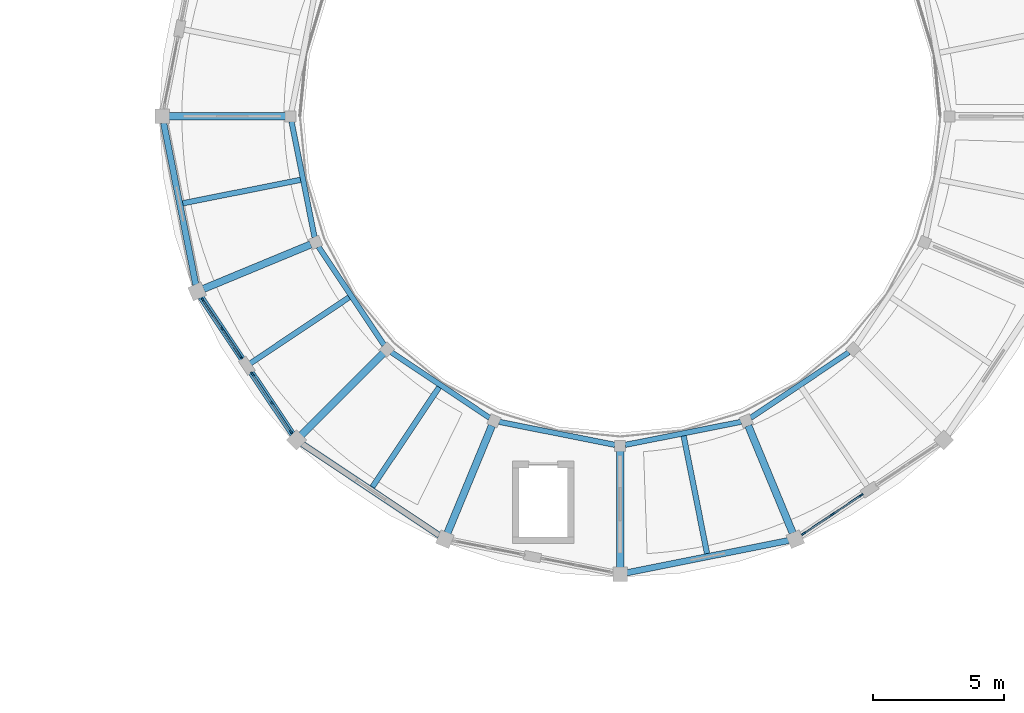
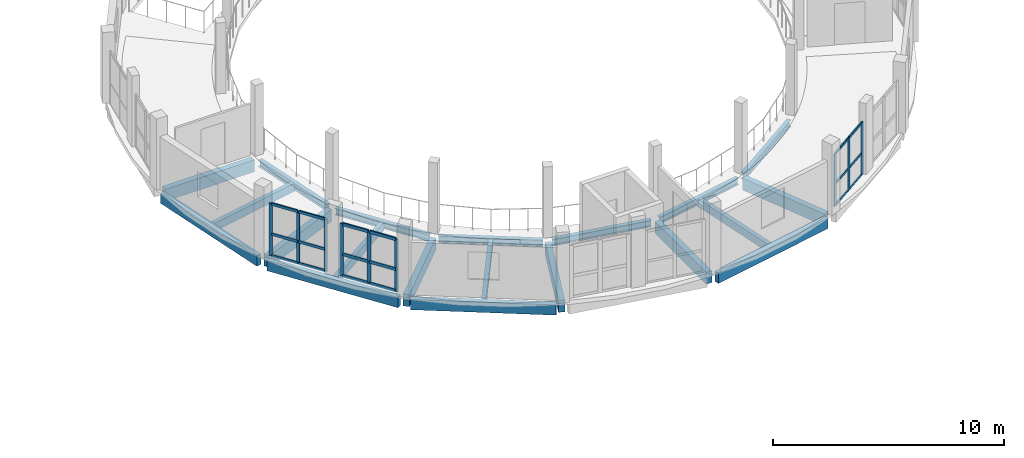
# One storey, part 41 of 77: 27 members, 20 beams, 3 elements without a shape of their own.
"""IFC4 building model written with IfcOpenShell, lengths in metres."""

from ifc_helpers import new_model, si_unit, direction, frame, origin, origin_2d, place, context, subcontext, project, spatial, rectangle, i_section, extrude, material, layer, layer_set, material_profile, profile_set, type_object, element, aggregate, save


model = new_model("IFC4")

# Units and contexts
model_context = context("Model", 3, precision=1e-05, world=origin(), true_north=direction((0.0, 1.0)))
body_context = subcontext(model_context, "Body", "Model", "MODEL_VIEW")
ifc_project = project(units=[si_unit("LENGTHUNIT", "METRE"), si_unit("AREAUNIT", "SQUARE_METRE"), si_unit("VOLUMEUNIT", "CUBIC_METRE"), si_unit("PLANEANGLEUNIT", "RADIAN"), si_unit("MASSUNIT", "GRAM", prefix="KILO")], contexts=[model_context])

# Site, building, storey
site_placement = place(None, origin())
site = spatial("IfcSite", under=ifc_project, at=site_placement, CompositionType="ELEMENT")
building_placement = place(site_placement, origin())
building = spatial("IfcBuilding", under=site, at=building_placement, Name="Caldaven Crescent School", CompositionType="ELEMENT")
storey_placement = place(building_placement, frame((0.0, 0.0, 4.419921875)))
storey = spatial("IfcBuildingStorey", under=building, at=storey_placement, Name="L01", CompositionType="ELEMENT", Elevation=4.419921875)

# Beams
ifc_material_1 = material(Name="Glulam MLE24h (GL28h)", Category="wood")
ifc_material_profile_1 = material_profile(ifc_material_1, rectangle(XDim=0.280029296875, YDim=0.6298828125, at=origin_2d()), Name="MLE 280x630")
ifc_profile_set_1 = profile_set([ifc_material_profile_1], Name="Glulam MLE24h (GL28h)")
beam_type_1 = type_object("IfcBeamType", Name="BM-GL63", PredefinedType="BEAM", material=ifc_profile_set_1)
for number, where, z_axis, x_axis, name in (
    (1, (139.699951171875, 98.5, -0.534912109375), (-1.0, 0.0, 0.0), (0.0, -1.0, 0.0), "BM-V1-L01-0112"),
    (2, (140.67431640625, 93.6015625, -0.534912109375), (-0.923891512961, -0.382654507719, 0.0), (0.382654507719, -0.923891512961, 0.0), "BM-V1-L01-0116"),
):
    element("IfcBeam", number, at=place(storey_placement, frame(where, z_axis=z_axis, x_axis=x_axis)), inside=storey, type_object=beam_type_1, Name=name, PredefinedType="BEAM", context=body_context, shape_type="SweptSolid", body=[
        extrude(rectangle(XDim=0.280029296875, YDim=0.6298828125, at=origin_2d()), origin(), (0.0, 0.0, 1.0), 4.43994140625),
    ])
beam_1_placement = place(storey_placement, frame((143.448974609375, 89.448974609375, -0.534912109375), z_axis=(-0.707106781187, -0.707106781187, 0.0), x_axis=(0.707106781187, -0.707106781187, 0.0)))
element("IfcBeam", 3, at=beam_1_placement, inside=storey, type_object=beam_type_1, Name="BM-V1-L01-0120", PredefinedType="BEAM", context=body_context, shape_type="SweptSolid", body=[
    extrude(rectangle(XDim=0.280029296875, YDim=0.6298828125, at=origin_2d()), origin(), (0.0, 0.0, 1.0), 4.439697265625),
])
for number, where, z_axis, x_axis, name in (
    (4, (147.6015625, 86.67431640625, -0.534912109375), (-0.382654507719, -0.923891512961, 0.0), (0.923891512961, -0.382654507719, 0.0), "BM-V1-L01-0124"),
    (5, (152.5, 85.699951171875, -0.534912109375), (0.0, -1.0, 0.0), (1.0, 0.0, 0.0), "BM-V1-L01-0127"),
    (6, (157.3984375, 86.67431640625, -0.534912109375), (0.382654507719, -0.923891512961, 0.0), (0.923891512961, 0.382654507719, 0.0), "BM-V1-L01-0131"),
):
    element("IfcBeam", number, at=place(storey_placement, frame(where, z_axis=z_axis, x_axis=x_axis)), inside=storey, type_object=beam_type_1, Name=name, PredefinedType="BEAM", context=body_context, shape_type="SweptSolid", body=[
        extrude(rectangle(XDim=0.280029296875, YDim=0.6298828125, at=origin_2d()), origin(), (0.0, 0.0, 1.0), 4.43994140625),
    ])
ifc_material_2 = material(Name="Steel ASTM A572 Grade 50", Category="steel")
ifc_material_profile_2 = material_profile(ifc_material_2, i_section(OverallWidth=0.205078125, OverallDepth=0.35400390625, WebThickness=0.009521484375, FlangeThickness=0.016845703125, FilletRadius=0.014892578125, at=origin_2d()), Name="W360x79")
ifc_profile_set_2 = profile_set([ifc_material_profile_2], Name="Steel ASTM A572 Grade 50")
beam_type_2 = type_object("IfcBeamType", Name="BM-W36", PredefinedType="BEAM", material=ifc_profile_set_2)
beam_2_placement = place(storey_placement, frame((139.93896484375, 98.303955078125, -0.39697265625), z_axis=(0.195086890453, -0.980785962977, 0.0), x_axis=(0.980785962977, 0.195086890453, 0.0)))
element("IfcBeam", 7, at=beam_2_placement, inside=storey, type_object=beam_type_2, Name="BM-V1-L01-0113", PredefinedType="BEAM", context=body_context, shape_type="SweptSolid", body=[
    extrude(i_section(OverallWidth=0.205078125, OverallDepth=0.35400390625, WebThickness=0.009521484375, FlangeThickness=0.016845703125, FilletRadius=0.014892578125, at=origin_2d()), origin(), (0.0, 0.0, 1.0), 4.516357421875),
])
for number, where, z_axis, x_axis, name in (
    (8, (140.97021484375, 93.511962890625, -0.39697265625), (0.55556067933, -0.831475995794, 0.0), (0.831475995794, 0.55556067933, 0.0), "BM-V1-L01-0117"),
    (9, (143.7568359375, 89.479248046875, -0.39697265625), (0.831475995794, -0.55556067933, 0.0), (0.55556067933, 0.831475995794, 0.0), "BM-V1-L01-0121"),
):
    element("IfcBeam", number, at=place(storey_placement, frame(where, z_axis=z_axis, x_axis=x_axis)), inside=storey, type_object=beam_type_2, Name=name, PredefinedType="BEAM", context=body_context, shape_type="SweptSolid", body=[
        extrude(i_section(OverallWidth=0.205078125, OverallDepth=0.35400390625, WebThickness=0.009521484375, FlangeThickness=0.016845703125, FilletRadius=0.014892578125, at=origin_2d()), origin(), (0.0, 0.0, 1.0), 4.51611328125),
    ])
for number, where, z_axis, x_axis, name in (
    (10, (147.874267578125, 86.820068359375, -0.39697265625), (0.980785962977, -0.195086890453, 0.0), (0.195086890453, 0.980785962977, 0.0), "BM-V1-L01-0125"),
    (11, (152.696044921875, 85.93896484375, -0.39697265625), (0.980785962977, 0.195086890453, 0.0), (-0.195086890453, 0.980785962977, 0.0), "BM-V1-L01-0128"),
):
    element("IfcBeam", number, at=place(storey_placement, frame(where, z_axis=z_axis, x_axis=x_axis)), inside=storey, type_object=beam_type_2, Name=name, PredefinedType="BEAM", context=body_context, shape_type="SweptSolid", body=[
        extrude(i_section(OverallWidth=0.205078125, OverallDepth=0.35400390625, WebThickness=0.009521484375, FlangeThickness=0.016845703125, FilletRadius=0.014892578125, at=origin_2d()), origin(), (0.0, 0.0, 1.0), 4.516357421875),
    ])
beam_3_placement = place(storey_placement, frame((157.488037109375, 86.97021484375, -0.39697265625), z_axis=(0.831475995794, 0.55556067933, 0.0), x_axis=(-0.55556067933, 0.831475995794, 0.0)))
element("IfcBeam", 12, at=beam_3_placement, inside=storey, type_object=beam_type_2, Name="BM-V1-L01-0132", PredefinedType="BEAM", context=body_context, shape_type="SweptSolid", body=[
    extrude(i_section(OverallWidth=0.205078125, OverallDepth=0.35400390625, WebThickness=0.009521484375, FlangeThickness=0.016845703125, FilletRadius=0.014892578125, at=origin_2d()), origin(), (0.0, 0.0, 1.0), 4.51611328125),
])

# Curtain wall, members
ifc_material_3 = material(Name="Anodised aluminium AA 6063-T6 and low-E double glazing", Category="aluminium")
ifc_layer_1 = layer(ifc_material_3, 0.18994140625)
ifc_layer_set_1 = layer_set([ifc_layer_1], Name="Anodised aluminium AA 6063-T6 and low-E double glazing")
curtain_wall_type_1 = type_object("IfcCurtainWallType", Name="CW-SYS2", PredefinedType="NOTDEFINED", material=ifc_layer_set_1)
curtain_wall_1_placement = place(storey_placement, origin())
curtain_wall_1 = element("IfcCurtainWall", 13, at=curtain_wall_1_placement, inside=storey, type_object=curtain_wall_type_1, Name="CW-L01-025", PredefinedType="NOTDEFINED")
ifc_material_4 = material(Name="Anodised aluminium AA 6063-T6", Category="aluminium")
ifc_material_profile_3 = material_profile(ifc_material_4, rectangle(XDim=0.06005859375, YDim=0.14990234375, at=origin_2d()), Name="CWM 60x150")
ifc_profile_set_3 = profile_set([ifc_material_profile_3], Name="Anodised aluminium AA 6063-T6")
member_type_1 = type_object("IfcMemberType", Name="CWM-T1", PredefinedType="MULLION", material=ifc_profile_set_3)
member_1_placement = place(storey_placement, frame((136.548828125, 91.478759765625, 0.0), z_axis=(0.0, 0.0, 1.0), x_axis=(0.83147022235, 0.555569320019, 0.0)))
member_1 = element("IfcMember", 14, at=member_1_placement, type_object=member_type_1, Name="CW2 mullion 1", PredefinedType="MULLION", context=body_context, shape_type="SweptSolid", body=[
    extrude(rectangle(XDim=0.06005859375, YDim=0.14990234375, at=origin_2d()), origin(), (0.0, 0.0, 1.0), 2.780029296875),
])
member_2_placement = place(storey_placement, frame((137.280517578125, 90.3837890625, 0.0), z_axis=(0.0, 0.0, 1.0), x_axis=(0.83147022235, 0.555569320019, 0.0)))
member_2 = element("IfcMember", 15, at=member_2_placement, type_object=member_type_1, Name="CW2 mullion 2", PredefinedType="MULLION", context=body_context, shape_type="SweptSolid", body=[
    extrude(rectangle(XDim=0.06005859375, YDim=0.14990234375, at=origin_2d()), origin(), (0.0, 0.0, 1.0), 2.780029296875),
])
member_3_placement = place(storey_placement, frame((138.01220703125, 89.28857421875, 0.0), z_axis=(0.0, 0.0, 1.0), x_axis=(0.83147022235, 0.555569320019, 0.0)))
member_3 = element("IfcMember", 16, at=member_3_placement, type_object=member_type_1, Name="CW2 mullion 3", PredefinedType="MULLION", context=body_context, shape_type="SweptSolid", body=[
    extrude(rectangle(XDim=0.06005859375, YDim=0.14990234375, at=origin_2d()), origin(), (0.0, 0.0, 1.0), 2.780029296875),
])

ifc_layer_2 = layer(ifc_material_3, 0.2099609375)
ifc_layer_set_2 = layer_set([ifc_layer_2], Name="Anodised aluminium AA 6063-T6 and low-E double glazing")
curtain_wall_type_2 = type_object("IfcCurtainWallType", Name="CW-SYS3", PredefinedType="NOTDEFINED", material=ifc_layer_set_2)
curtain_wall_2_placement = place(storey_placement, origin())
curtain_wall_2 = element("IfcCurtainWall", 17, at=curtain_wall_2_placement, inside=storey, type_object=curtain_wall_type_2, Name="CW-L01-026", PredefinedType="NOTDEFINED")
ifc_material_profile_4 = material_profile(ifc_material_4, rectangle(XDim=0.06494140625, YDim=0.179931640625, at=origin_2d()), Name="CWM 65x180")
ifc_profile_set_4 = profile_set([ifc_material_profile_4], Name="Anodised aluminium AA 6063-T6")
member_type_2 = type_object("IfcMemberType", Name="CWM-T2", PredefinedType="MULLION", material=ifc_profile_set_4)
member_4_placement = place(storey_placement, frame((138.447021484375, 88.637939453125, 0.0), z_axis=(0.0, 0.0, 1.0), x_axis=(0.831468507711, 0.555571886154, 0.0)))
member_4 = element("IfcMember", 18, at=member_4_placement, type_object=member_type_2, Name="CW3 mullion 1", PredefinedType="MULLION", context=body_context, shape_type="SweptSolid", body=[
    extrude(rectangle(XDim=0.06494140625, YDim=0.179931640625, at=origin_2d()), origin(), (0.0, 0.0, 1.0), 2.780029296875),
])
member_5_placement = place(storey_placement, frame((139.17724609375, 87.544921875, 0.0), z_axis=(0.0, 0.0, 1.0), x_axis=(0.831468507711, 0.555571886154, 0.0)))
member_5 = element("IfcMember", 19, at=member_5_placement, type_object=member_type_2, Name="CW3 mullion 2", PredefinedType="MULLION", context=body_context, shape_type="SweptSolid", body=[
    extrude(rectangle(XDim=0.06494140625, YDim=0.179931640625, at=origin_2d()), origin(), (0.0, 0.0, 1.0), 2.780029296875),
])
member_6_placement = place(storey_placement, frame((139.907470703125, 86.451904296875, 0.0), z_axis=(0.0, 0.0, 1.0), x_axis=(0.831468507711, 0.555571886154, 0.0)))
member_6 = element("IfcMember", 20, at=member_6_placement, type_object=member_type_2, Name="CW3 mullion 3", PredefinedType="MULLION", context=body_context, shape_type="SweptSolid", body=[
    extrude(rectangle(XDim=0.06494140625, YDim=0.179931640625, at=origin_2d()), origin(), (0.0, 0.0, 1.0), 2.780029296875),
])

curtain_wall_3_placement = place(storey_placement, origin())
curtain_wall_3 = element("IfcCurtainWall", 21, at=curtain_wall_3_placement, inside=storey, type_object=curtain_wall_type_1, Name="CW-L01-029", PredefinedType="NOTDEFINED")
member_7_placement = place(storey_placement, frame((159.523193359375, 82.550048828125, 0.0), z_axis=(0.0, 0.0, 1.0), x_axis=(-0.555569320019, 0.83147022235, 0.0)))
member_7 = element("IfcMember", 22, at=member_7_placement, type_object=member_type_2, Name="CW2 mullion 1", PredefinedType="MULLION", context=body_context, shape_type="SweptSolid", body=[
    extrude(rectangle(XDim=0.06494140625, YDim=0.179931640625, at=origin_2d()), origin(), (0.0, 0.0, 1.0), 2.780029296875),
])
member_8_placement = place(storey_placement, frame((160.6162109375, 83.280517578125, 0.0), z_axis=(0.0, 0.0, 1.0), x_axis=(-0.555569320019, 0.83147022235, 0.0)))
member_8 = element("IfcMember", 23, at=member_8_placement, type_object=member_type_2, Name="CW2 mullion 2", PredefinedType="MULLION", context=body_context, shape_type="SweptSolid", body=[
    extrude(rectangle(XDim=0.06494140625, YDim=0.179931640625, at=origin_2d()), origin(), (0.0, 0.0, 1.0), 2.780029296875),
])
member_9_placement = place(storey_placement, frame((161.709228515625, 84.0107421875, 0.0), z_axis=(0.0, 0.0, 1.0), x_axis=(-0.555569320019, 0.83147022235, 0.0)))
member_9 = element("IfcMember", 24, at=member_9_placement, type_object=member_type_2, Name="CW2 mullion 3", PredefinedType="MULLION", context=body_context, shape_type="SweptSolid", body=[
    extrude(rectangle(XDim=0.06494140625, YDim=0.179931640625, at=origin_2d()), origin(), (0.0, 0.0, 1.0), 2.780029296875),
])
ifc_material_profile_5 = material_profile(ifc_material_4, rectangle(XDim=0.06005859375, YDim=0.1201171875, at=origin_2d()), Name="CWT 60x120")
ifc_profile_set_5 = profile_set([ifc_material_profile_5], Name="Anodised aluminium AA 6063-T6")
member_type_3 = type_object("IfcMemberType", Name="CWT-T1", PredefinedType="USERDEFINED", material=ifc_profile_set_5)
member_10_placement = place(storey_placement, frame((159.55029296875, 82.568115234375, 0.030029296875), z_axis=(0.831448700602, 0.555601528316, 0.0), x_axis=(-0.555601528316, 0.831448700602, 0.0)))
member_10 = element("IfcMember", 25, at=member_10_placement, type_object=member_type_3, Name="CW2 transom 1.1", ObjectType="TRANSOM", PredefinedType="USERDEFINED", context=body_context, shape_type="SweptSolid", body=[
    extrude(rectangle(XDim=0.06005859375, YDim=0.1201171875, at=origin_2d()), origin(), (0.0, 0.0, 1.0), 1.249755859375),
])
member_11_placement = place(storey_placement, frame((159.55029296875, 82.568115234375, 1.16796875), z_axis=(0.831448700602, 0.555601528316, 0.0), x_axis=(-0.555601528316, 0.831448700602, 0.0)))
member_11 = element("IfcMember", 26, at=member_11_placement, type_object=member_type_3, Name="CW2 transom 1.2", ObjectType="TRANSOM", PredefinedType="USERDEFINED", context=body_context, shape_type="SweptSolid", body=[
    extrude(rectangle(XDim=0.06005859375, YDim=0.1201171875, at=origin_2d()), origin(), (0.0, 0.0, 1.0), 1.249755859375),
])
member_12_placement = place(storey_placement, frame((159.55029296875, 82.568115234375, 2.75), z_axis=(0.831448700602, 0.555601528316, 0.0), x_axis=(-0.555601528316, 0.831448700602, 0.0)))
member_12 = element("IfcMember", 27, at=member_12_placement, type_object=member_type_3, Name="CW2 transom 1.3", ObjectType="TRANSOM", PredefinedType="USERDEFINED", context=body_context, shape_type="SweptSolid", body=[
    extrude(rectangle(XDim=0.06005859375, YDim=0.1201171875, at=origin_2d()), origin(), (0.0, 0.0, 1.0), 1.249755859375),
])
member_13_placement = place(storey_placement, frame((160.643310546875, 83.298583984375, 0.030029296875), z_axis=(0.831538946418, 0.555466453164, 0.0), x_axis=(-0.555466453164, 0.831538946418, 0.0)))
member_13 = element("IfcMember", 28, at=member_13_placement, type_object=member_type_3, Name="CW2 transom 2.1", ObjectType="TRANSOM", PredefinedType="USERDEFINED", context=body_context, shape_type="SweptSolid", body=[
    extrude(rectangle(XDim=0.06005859375, YDim=0.1201171875, at=origin_2d()), origin(), (0.0, 0.0, 1.0), 1.24951171875),
])
member_14_placement = place(storey_placement, frame((160.643310546875, 83.298583984375, 1.16796875), z_axis=(0.831538946418, 0.555466453164, 0.0), x_axis=(-0.555466453164, 0.831538946418, 0.0)))
member_14 = element("IfcMember", 29, at=member_14_placement, type_object=member_type_3, Name="CW2 transom 2.2", ObjectType="TRANSOM", PredefinedType="USERDEFINED", context=body_context, shape_type="SweptSolid", body=[
    extrude(rectangle(XDim=0.06005859375, YDim=0.1201171875, at=origin_2d()), origin(), (0.0, 0.0, 1.0), 1.24951171875),
])
member_15_placement = place(storey_placement, frame((160.643310546875, 83.298583984375, 2.75), z_axis=(0.831538946418, 0.555466453164, 0.0), x_axis=(-0.555466453164, 0.831538946418, 0.0)))
member_15 = element("IfcMember", 30, at=member_15_placement, type_object=member_type_3, Name="CW2 transom 2.3", ObjectType="TRANSOM", PredefinedType="USERDEFINED", context=body_context, shape_type="SweptSolid", body=[
    extrude(rectangle(XDim=0.06005859375, YDim=0.1201171875, at=origin_2d()), origin(), (0.0, 0.0, 1.0), 1.24951171875),
])
aggregate(curtain_wall_3, [member_7, member_8, member_9, member_10, member_11, member_12, member_13, member_14, member_15])

# Member
ifc_material_profile_6 = material_profile(ifc_material_4, rectangle(XDim=0.06494140625, YDim=0.139892578125, at=origin_2d()), Name="CWT 65x140")
ifc_profile_set_6 = profile_set([ifc_material_profile_6], Name="Anodised aluminium AA 6063-T6")
member_type_4 = type_object("IfcMemberType", Name="CWT-T2", PredefinedType="USERDEFINED", material=ifc_profile_set_6)
member_16_placement = place(storey_placement, frame((136.5654296875, 91.453857421875, 0.032470703125), z_axis=(0.555641023412, -0.831422307315, 0.0), x_axis=(0.831422307315, 0.555641023412, 0.0)))
member_16 = element("IfcMember", 31, at=member_16_placement, type_object=member_type_4, Name="CW2 transom 1.1", ObjectType="TRANSOM", PredefinedType="USERDEFINED", context=body_context, shape_type="SweptSolid", body=[
    extrude(rectangle(XDim=0.06494140625, YDim=0.139892578125, at=origin_2d()), origin(), (0.0, 0.0, 1.0), 1.257080078125),
])

member_17_placement = place(storey_placement, frame((136.5654296875, 91.453857421875, 1.16796875), z_axis=(0.555641023412, -0.831422307315, 0.0), x_axis=(0.831422307315, 0.555641023412, 0.0)))
member_17 = element("IfcMember", 32, at=member_17_placement, type_object=member_type_4, Name="CW2 transom 1.2", ObjectType="TRANSOM", PredefinedType="USERDEFINED", context=body_context, shape_type="SweptSolid", body=[
    extrude(rectangle(XDim=0.06494140625, YDim=0.139892578125, at=origin_2d()), origin(), (0.0, 0.0, 1.0), 1.257080078125),
])

member_18_placement = place(storey_placement, frame((136.5654296875, 91.453857421875, 2.74755859375), z_axis=(0.555641023412, -0.831422307315, 0.0), x_axis=(0.831422307315, 0.555641023412, 0.0)))
member_18 = element("IfcMember", 33, at=member_18_placement, type_object=member_type_4, Name="CW2 transom 1.3", ObjectType="TRANSOM", PredefinedType="USERDEFINED", context=body_context, shape_type="SweptSolid", body=[
    extrude(rectangle(XDim=0.06494140625, YDim=0.139892578125, at=origin_2d()), origin(), (0.0, 0.0, 1.0), 1.257080078125),
])

member_19_placement = place(storey_placement, frame((137.297119140625, 90.358642578125, 0.032470703125), z_axis=(0.555641023412, -0.831422307315, 0.0), x_axis=(0.831422307315, 0.555641023412, 0.0)))
member_19 = element("IfcMember", 34, at=member_19_placement, type_object=member_type_4, Name="CW2 transom 2.1", ObjectType="TRANSOM", PredefinedType="USERDEFINED", context=body_context, shape_type="SweptSolid", body=[
    extrude(rectangle(XDim=0.06494140625, YDim=0.139892578125, at=origin_2d()), origin(), (0.0, 0.0, 1.0), 1.257080078125),
])

member_20_placement = place(storey_placement, frame((137.297119140625, 90.358642578125, 1.16796875), z_axis=(0.555641023412, -0.831422307315, 0.0), x_axis=(0.831422307315, 0.555641023412, 0.0)))
member_20 = element("IfcMember", 35, at=member_20_placement, type_object=member_type_4, Name="CW2 transom 2.2", ObjectType="TRANSOM", PredefinedType="USERDEFINED", context=body_context, shape_type="SweptSolid", body=[
    extrude(rectangle(XDim=0.06494140625, YDim=0.139892578125, at=origin_2d()), origin(), (0.0, 0.0, 1.0), 1.257080078125),
])

member_21_placement = place(storey_placement, frame((137.297119140625, 90.358642578125, 2.74755859375), z_axis=(0.555641023412, -0.831422307315, 0.0), x_axis=(0.831422307315, 0.555641023412, 0.0)))
member_21 = element("IfcMember", 36, at=member_21_placement, type_object=member_type_4, Name="CW2 transom 2.3", ObjectType="TRANSOM", PredefinedType="USERDEFINED", context=body_context, shape_type="SweptSolid", body=[
    extrude(rectangle(XDim=0.06494140625, YDim=0.139892578125, at=origin_2d()), origin(), (0.0, 0.0, 1.0), 1.257080078125),
])

aggregate(curtain_wall_1, [member_1, member_2, member_3, member_16, member_17, member_18, member_19, member_20, member_21])

ifc_material_profile_7 = material_profile(ifc_material_4, rectangle(XDim=0.070068359375, YDim=0.159912109375, at=origin_2d()), Name="CWT 70x160")
ifc_profile_set_7 = profile_set([ifc_material_profile_7], Name="Anodised aluminium AA 6063-T6")
member_type_5 = type_object("IfcMemberType", Name="CWT-T3", PredefinedType="USERDEFINED", material=ifc_profile_set_7)
member_22_placement = place(storey_placement, frame((138.465087890625, 88.611083984375, 0.03515625), z_axis=(0.555466453164, -0.831538946418, 0.0), x_axis=(0.831538946418, 0.555466453164, 0.0)))
member_22 = element("IfcMember", 37, at=member_22_placement, type_object=member_type_5, Name="CW3 transom 1.1", ObjectType="TRANSOM", PredefinedType="USERDEFINED", context=body_context, shape_type="SweptSolid", body=[
    extrude(rectangle(XDim=0.070068359375, YDim=0.159912109375, at=origin_2d()), origin(), (0.0, 0.0, 1.0), 1.24951171875),
])

member_23_placement = place(storey_placement, frame((138.465087890625, 88.611083984375, 1.16796875), z_axis=(0.555466453164, -0.831538946418, 0.0), x_axis=(0.831538946418, 0.555466453164, 0.0)))
member_23 = element("IfcMember", 38, at=member_23_placement, type_object=member_type_5, Name="CW3 transom 1.2", ObjectType="TRANSOM", PredefinedType="USERDEFINED", context=body_context, shape_type="SweptSolid", body=[
    extrude(rectangle(XDim=0.070068359375, YDim=0.159912109375, at=origin_2d()), origin(), (0.0, 0.0, 1.0), 1.24951171875),
])

member_24_placement = place(storey_placement, frame((138.465087890625, 88.611083984375, 2.7451171875), z_axis=(0.555466453164, -0.831538946418, 0.0), x_axis=(0.831538946418, 0.555466453164, 0.0)))
member_24 = element("IfcMember", 39, at=member_24_placement, type_object=member_type_5, Name="CW3 transom 1.3", ObjectType="TRANSOM", PredefinedType="USERDEFINED", context=body_context, shape_type="SweptSolid", body=[
    extrude(rectangle(XDim=0.070068359375, YDim=0.159912109375, at=origin_2d()), origin(), (0.0, 0.0, 1.0), 1.24951171875),
])

member_25_placement = place(storey_placement, frame((139.1953125, 87.51806640625, 0.03515625), z_axis=(0.555466453164, -0.831538946418, 0.0), x_axis=(0.831538946418, 0.555466453164, 0.0)))
member_25 = element("IfcMember", 40, at=member_25_placement, type_object=member_type_5, Name="CW3 transom 2.1", ObjectType="TRANSOM", PredefinedType="USERDEFINED", context=body_context, shape_type="SweptSolid", body=[
    extrude(rectangle(XDim=0.070068359375, YDim=0.159912109375, at=origin_2d()), origin(), (0.0, 0.0, 1.0), 1.24951171875),
])

member_26_placement = place(storey_placement, frame((139.1953125, 87.51806640625, 1.16796875), z_axis=(0.555466453164, -0.831538946418, 0.0), x_axis=(0.831538946418, 0.555466453164, 0.0)))
member_26 = element("IfcMember", 41, at=member_26_placement, type_object=member_type_5, Name="CW3 transom 2.2", ObjectType="TRANSOM", PredefinedType="USERDEFINED", context=body_context, shape_type="SweptSolid", body=[
    extrude(rectangle(XDim=0.070068359375, YDim=0.159912109375, at=origin_2d()), origin(), (0.0, 0.0, 1.0), 1.24951171875),
])

member_27_placement = place(storey_placement, frame((139.1953125, 87.51806640625, 2.7451171875), z_axis=(0.555466453164, -0.831538946418, 0.0), x_axis=(0.831538946418, 0.555466453164, 0.0)))
member_27 = element("IfcMember", 42, at=member_27_placement, type_object=member_type_5, Name="CW3 transom 2.3", ObjectType="TRANSOM", PredefinedType="USERDEFINED", context=body_context, shape_type="SweptSolid", body=[
    extrude(rectangle(XDim=0.070068359375, YDim=0.159912109375, at=origin_2d()), origin(), (0.0, 0.0, 1.0), 1.24951171875),
])

aggregate(curtain_wall_2, [member_4, member_5, member_6, member_22, member_23, member_24, member_25, member_26, member_27])

# Beams
ifc_material_profile_8 = material_profile(ifc_material_1, rectangle(XDim=0.2099609375, YDim=0.419921875, at=origin_2d()), Name="MLE 210x420")
ifc_profile_set_8 = profile_set([ifc_material_profile_8], Name="Glulam MLE24h (GL28h)")
beam_type_3 = type_object("IfcBeamType", Name="JS-GL42", PredefinedType="JOIST", material=ifc_profile_set_8)
for number, where, z_axis, x_axis, name in (
    (43, (140.281494140625, 96.069580078125, -0.429931640625), (-0.980791010348, -0.19506151343, 0.0), (0.19506151343, -0.980791010348, 0.0), "JS-V1-L01-0115"),
    (44, (142.1416015625, 91.578857421875, -0.429931640625), (-0.831460118694, -0.555584440946, 0.0), (0.555584440946, -0.831460118694, 0.0), "JS-V1-L01-0119"),
    (45, (145.578857421875, 88.1416015625, -0.429931640625), (-0.555584440946, -0.831460118694, 0.0), (0.831460118694, -0.555584440946, 0.0), "JS-V1-L01-0123"),
    (46, (154.930419921875, 86.281494140625, -0.429931640625), (0.19506151343, -0.980791010348, 0.0), (0.980791010348, 0.19506151343, 0.0), "JS-V1-L01-0130"),
):
    element("IfcBeam", number, at=place(storey_placement, frame(where, z_axis=z_axis, x_axis=x_axis)), inside=storey, type_object=beam_type_3, Name=name, PredefinedType="JOIST", context=body_context, shape_type="SweptSolid", body=[
        extrude(rectangle(XDim=0.2099609375, YDim=0.419921875, at=origin_2d()), origin(), (0.0, 0.0, 1.0), 4.5859375),
    ])
ifc_material_profile_9 = material_profile(ifc_material_1, rectangle(XDim=0.239990234375, YDim=0.5400390625, at=origin_2d()), Name="MLE 240x540")
ifc_profile_set_9 = profile_set([ifc_material_profile_9], Name="Glulam MLE24h (GL28h)")
beam_type_4 = type_object("IfcBeamType", Name="SP-GL54", PredefinedType="SPANDREL", material=ifc_profile_set_9)
for number, where, z_axis, x_axis, name in (
    (47, (135.05078125, 98.2451171875, -0.489990234375), (0.195096382354, -0.980784074908, 0.0), (0.980784074908, 0.195096382354, 0.0), "BM-V1-L01-0114"),
    (48, (136.4765625, 91.5869140625, -0.489990234375), (0.555566223399, -0.831472291432, 0.0), (0.831472291432, 0.555566223399, 0.0), "BM-V1-L01-0118"),
    (49, (140.341796875, 85.981201171875, -0.489990234375), (0.831472291432, -0.555566223399, 0.0), (0.555566223399, 0.831472291432, 0.0), "BM-V1-L01-0122"),
    (50, (152.7548828125, 81.05078125, -0.489990234375), (0.980784074908, 0.195096382354, 0.0), (-0.195096382354, 0.980784074908, 0.0), "BM-V1-L01-0129"),
):
    element("IfcBeam", number, at=place(storey_placement, frame(where, z_axis=z_axis, x_axis=x_axis)), inside=storey, type_object=beam_type_4, Name=name, PredefinedType="SPANDREL", context=body_context, shape_type="SweptSolid", body=[
        extrude(rectangle(XDim=0.239990234375, YDim=0.5400390625, at=origin_2d()), origin(), (0.0, 0.0, 1.0), 6.308349609375),
    ])

save(model, "model.ifc")
